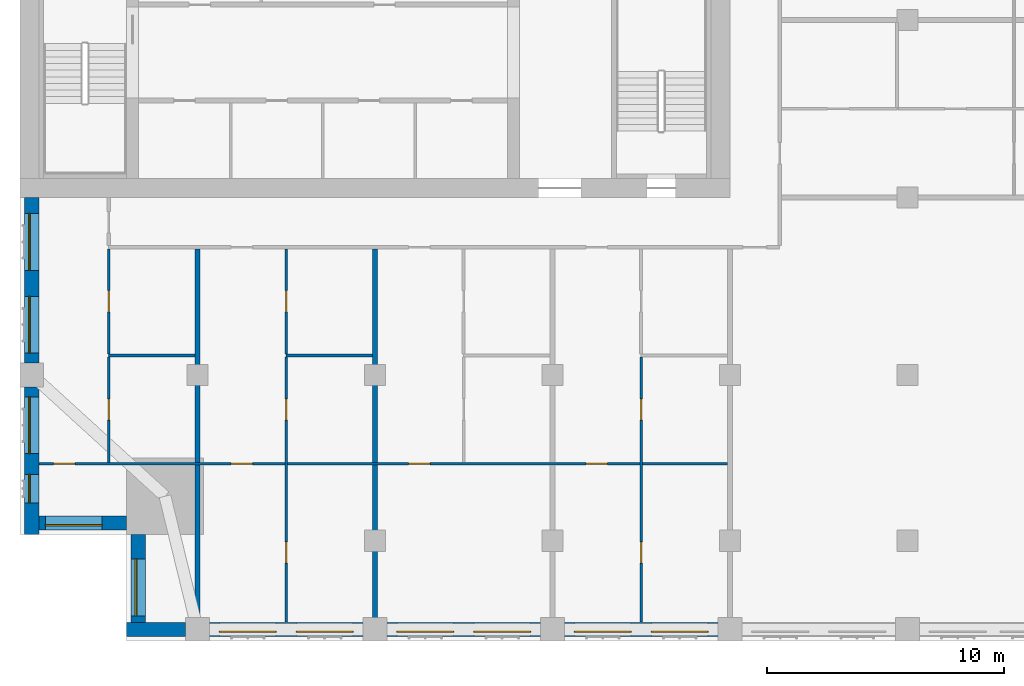
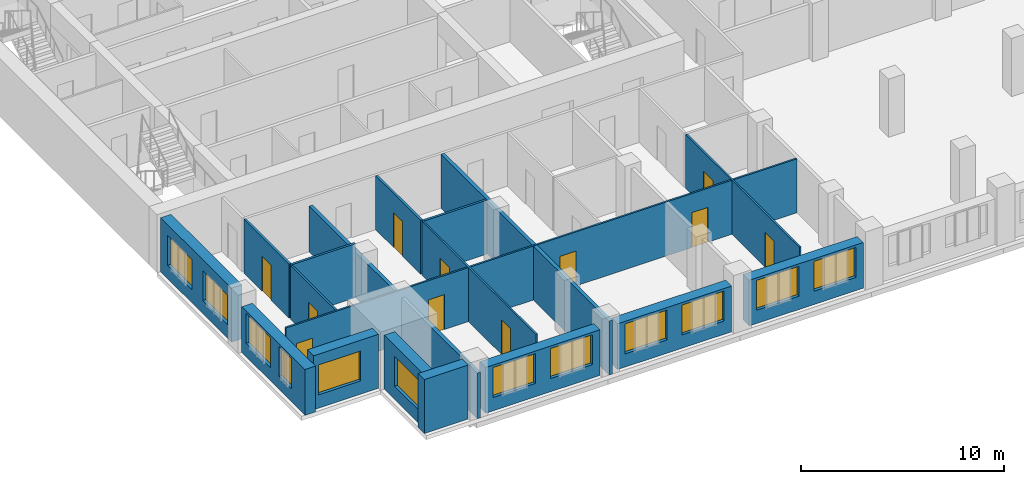
# One storey, part 6 of 14: 18 walls, 12 windows, 11 doors, 23 openings.
"""IFC4 building model written with IfcOpenShell, lengths in metres."""

from ifc_helpers import new_model, si_unit, direction, frame, frame_2d, origin, place, context, subcontext, project, spatial, rectangle, extrude, material, layer, layer_set, type_object, element, fill, save


model = new_model("IFC4")

# Units and contexts
model_context = context("Model", 3, precision=1e-05, world=origin(), true_north=direction((0.0, 1.0)))
body_context = subcontext(model_context, "Body", "Model", "MODEL_VIEW")
ifc_project = project(units=[si_unit("LENGTHUNIT", "METRE"), si_unit("AREAUNIT", "SQUARE_METRE"), si_unit("VOLUMEUNIT", "CUBIC_METRE"), si_unit("PLANEANGLEUNIT", "RADIAN"), si_unit("MASSUNIT", "GRAM", prefix="KILO")], contexts=[model_context])

# Site, building, storey
site_placement = place(None, origin())
site = spatial("IfcSite", under=ifc_project, at=site_placement, CompositionType="ELEMENT")
building_placement = place(site_placement, origin())
building = spatial("IfcBuilding", under=site, at=building_placement, Name="Tamorin Gate", CompositionType="ELEMENT")
storey_placement = place(building_placement, frame((0.0, 0.0, 186.199951171875)))
storey = spatial("IfcBuildingStorey", under=building, at=storey_placement, Name="L45", CompositionType="ELEMENT", Elevation=186.199951171875)

# Wall
ifc_material_1 = material(Name="Precast concrete C40/50", Category="concrete")
ifc_layer_1 = layer(ifc_material_1, 0.60009765625)
ifc_layer_set_1 = layer_set([ifc_layer_1], Name="Precast concrete C40/50")
wall_type_1 = type_object("IfcWallType", Name="Board-marked concrete facade panel 600", PredefinedType="SOLIDWALL", material=ifc_layer_set_1)
wall_1_placement = place(storey_placement, frame((34.5, 41.75, 0.0), z_axis=(0.0, 0.0, 1.0), x_axis=(1.0, 0.0, 0.0)))
element("IfcWall", 1, at=wall_1_placement, inside=storey, type_object=wall_type_1, Name="Facade panel", PredefinedType="SOLIDWALL", context=body_context, shape_type="SweptSolid", body=[
    extrude(rectangle(XDim=2.5, YDim=0.60009765625, at=frame_2d((1.25, 0.0))), origin(), (0.0, 0.0, 1.0), 3.25),
])

# Wall, openings, windows
wall_2_placement = place(storey_placement, frame((38.0, 41.75, 0.0), z_axis=(0.0, 0.0, 1.0), x_axis=(1.0, 0.0, 0.0)))
wall_2 = element("IfcWall", 2, at=wall_2_placement, inside=storey, type_object=wall_type_1, Name="Facade panel", PredefinedType="SOLIDWALL", context=body_context, shape_type="SweptSolid", body=[
    extrude(rectangle(XDim=6.5, YDim=0.60009765625, at=frame_2d((3.25, 0.0))), origin(), (0.0, 0.0, 1.0), 2.75),
])
opening_1_placement = place(wall_2_placement, frame((0.425048828125, 0.0, 0.800048828125)))
opening_1 = element("IfcOpeningElement", 3, at=opening_1_placement, cuts=wall_2, Name="Opening WN1", PredefinedType="OPENING", context=body_context, shape_type="SweptSolid", body=[
    extrude(rectangle(XDim=2.39990234375, YDim=1.800048828125, at=frame_2d((1.199951171875, 0.89990234375))), frame((0.0, 0.31005859375, 0.0), z_axis=(0.0, -1.0, 0.0), x_axis=(1.0, 0.0, 0.0)), (0.0, 0.0, 1.0), 0.6201171875),
])
opening_2_placement = place(wall_2_placement, frame((3.675048828125, 0.0, 0.800048828125)))
opening_2 = element("IfcOpeningElement", 4, at=opening_2_placement, cuts=wall_2, Name="Opening WN1", PredefinedType="OPENING", context=body_context, shape_type="SweptSolid", body=[
    extrude(rectangle(XDim=2.39990234375, YDim=1.800048828125, at=frame_2d((1.199951171875, 0.89990234375))), frame((0.0, 0.31005859375, 0.0), z_axis=(0.0, -1.0, 0.0), x_axis=(1.0, 0.0, 0.0)), (0.0, 0.0, 1.0), 0.6201171875),
])
ifc_material_2 = material(Name="Clear glass in aluminium frame", Category="aluminium")
window_type_1 = type_object("IfcWindowType", Name="Deep-set window 2400x1800", PartitioningType="SINGLE_PANEL", PredefinedType="WINDOW", material=ifc_material_2)
window_1_placement = place(opening_1_placement, origin())
window_1 = element("IfcWindow", 5, at=window_1_placement, inside=storey, type_object=window_type_1, Name="Deep-set window", OverallHeight=1.800048828125, OverallWidth=2.39990234375, PartitioningType="SINGLE_PANEL", PredefinedType="WINDOW", context=body_context, shape_type="SweptSolid", body=[
    extrude(rectangle(XDim=2.39990234375, YDim=1.800048828125, at=frame_2d((1.199951171875, 0.89990234375))), frame((0.0, -0.070068359375, 0.0), z_axis=(0.0, -1.0, 0.0), x_axis=(1.0, 0.0, 0.0)), (0.0, 0.0, 1.0), 0.06005859375),
])
fill(opening_1, window_1)
window_2_placement = place(opening_2_placement, origin())
window_2 = element("IfcWindow", 6, at=window_2_placement, inside=storey, type_object=window_type_1, Name="Deep-set window", OverallHeight=1.800048828125, OverallWidth=2.39990234375, PartitioningType="SINGLE_PANEL", PredefinedType="WINDOW", context=body_context, shape_type="SweptSolid", body=[
    extrude(rectangle(XDim=2.39990234375, YDim=1.800048828125, at=frame_2d((1.199951171875, 0.89990234375))), frame((0.0, -0.070068359375, 0.0), z_axis=(0.0, -1.0, 0.0), x_axis=(1.0, 0.0, 0.0)), (0.0, 0.0, 1.0), 0.06005859375),
])
fill(opening_2, window_2)

wall_3_placement = place(storey_placement, frame((45.5, 41.75, 0.0), z_axis=(0.0, 0.0, 1.0), x_axis=(1.0, 0.0, 0.0)))
wall_3 = element("IfcWall", 7, at=wall_3_placement, inside=storey, type_object=wall_type_1, Name="Facade panel", PredefinedType="SOLIDWALL", context=body_context, shape_type="SweptSolid", body=[
    extrude(rectangle(XDim=6.5, YDim=0.60009765625, at=frame_2d((3.25, 0.0))), origin(), (0.0, 0.0, 1.0), 2.75),
])
opening_3_placement = place(wall_3_placement, frame((0.425048828125, 0.0, 0.800048828125)))
opening_3 = element("IfcOpeningElement", 8, at=opening_3_placement, cuts=wall_3, Name="Opening WN1", PredefinedType="OPENING", context=body_context, shape_type="SweptSolid", body=[
    extrude(rectangle(XDim=2.39990234375, YDim=1.800048828125, at=frame_2d((1.199951171875, 0.89990234375))), frame((0.0, 0.31005859375, 0.0), z_axis=(0.0, -1.0, 0.0), x_axis=(1.0, 0.0, 0.0)), (0.0, 0.0, 1.0), 0.6201171875),
])
opening_4_placement = place(wall_3_placement, frame((3.675048828125, 0.0, 0.800048828125)))
opening_4 = element("IfcOpeningElement", 9, at=opening_4_placement, cuts=wall_3, Name="Opening WN1", PredefinedType="OPENING", context=body_context, shape_type="SweptSolid", body=[
    extrude(rectangle(XDim=2.39990234375, YDim=1.800048828125, at=frame_2d((1.199951171875, 0.89990234375))), frame((0.0, 0.31005859375, 0.0), z_axis=(0.0, -1.0, 0.0), x_axis=(1.0, 0.0, 0.0)), (0.0, 0.0, 1.0), 0.6201171875),
])
window_3_placement = place(opening_3_placement, origin())
window_3 = element("IfcWindow", 10, at=window_3_placement, inside=storey, type_object=window_type_1, Name="Deep-set window", OverallHeight=1.800048828125, OverallWidth=2.39990234375, PartitioningType="SINGLE_PANEL", PredefinedType="WINDOW", context=body_context, shape_type="SweptSolid", body=[
    extrude(rectangle(XDim=2.39990234375, YDim=1.800048828125, at=frame_2d((1.199951171875, 0.89990234375))), frame((0.0, -0.070068359375, 0.0), z_axis=(0.0, -1.0, 0.0), x_axis=(1.0, 0.0, 0.0)), (0.0, 0.0, 1.0), 0.06005859375),
])
fill(opening_3, window_3)
window_4_placement = place(opening_4_placement, origin())
window_4 = element("IfcWindow", 11, at=window_4_placement, inside=storey, type_object=window_type_1, Name="Deep-set window", OverallHeight=1.800048828125, OverallWidth=2.39990234375, PartitioningType="SINGLE_PANEL", PredefinedType="WINDOW", context=body_context, shape_type="SweptSolid", body=[
    extrude(rectangle(XDim=2.39990234375, YDim=1.800048828125, at=frame_2d((1.199951171875, 0.89990234375))), frame((0.0, -0.070068359375, 0.0), z_axis=(0.0, -1.0, 0.0), x_axis=(1.0, 0.0, 0.0)), (0.0, 0.0, 1.0), 0.06005859375),
])
fill(opening_4, window_4)

wall_4_placement = place(storey_placement, frame((53.0, 41.75, 0.0), z_axis=(0.0, 0.0, 1.0), x_axis=(1.0, 0.0, 0.0)))
wall_4 = element("IfcWall", 12, at=wall_4_placement, inside=storey, type_object=wall_type_1, Name="Facade panel", PredefinedType="SOLIDWALL", context=body_context, shape_type="SweptSolid", body=[
    extrude(rectangle(XDim=6.5, YDim=0.60009765625, at=frame_2d((3.25, 0.0))), origin(), (0.0, 0.0, 1.0), 2.75),
])
opening_5_placement = place(wall_4_placement, frame((0.425048828125, 0.0, 0.800048828125)))
opening_5 = element("IfcOpeningElement", 13, at=opening_5_placement, cuts=wall_4, Name="Opening WN1", PredefinedType="OPENING", context=body_context, shape_type="SweptSolid", body=[
    extrude(rectangle(XDim=2.39990234375, YDim=1.800048828125, at=frame_2d((1.199951171875, 0.89990234375))), frame((0.0, 0.31005859375, 0.0), z_axis=(0.0, -1.0, 0.0), x_axis=(1.0, 0.0, 0.0)), (0.0, 0.0, 1.0), 0.6201171875),
])
opening_6_placement = place(wall_4_placement, frame((3.675048828125, 0.0, 0.800048828125)))
opening_6 = element("IfcOpeningElement", 14, at=opening_6_placement, cuts=wall_4, Name="Opening WN1", PredefinedType="OPENING", context=body_context, shape_type="SweptSolid", body=[
    extrude(rectangle(XDim=2.39990234375, YDim=1.800048828125, at=frame_2d((1.199951171875, 0.89990234375))), frame((0.0, 0.31005859375, 0.0), z_axis=(0.0, -1.0, 0.0), x_axis=(1.0, 0.0, 0.0)), (0.0, 0.0, 1.0), 0.6201171875),
])
window_5_placement = place(opening_5_placement, origin())
window_5 = element("IfcWindow", 15, at=window_5_placement, inside=storey, type_object=window_type_1, Name="Deep-set window", OverallHeight=1.800048828125, OverallWidth=2.39990234375, PartitioningType="SINGLE_PANEL", PredefinedType="WINDOW", context=body_context, shape_type="SweptSolid", body=[
    extrude(rectangle(XDim=2.39990234375, YDim=1.800048828125, at=frame_2d((1.199951171875, 0.89990234375))), frame((0.0, -0.070068359375, 0.0), z_axis=(0.0, -1.0, 0.0), x_axis=(1.0, 0.0, 0.0)), (0.0, 0.0, 1.0), 0.06005859375),
])
fill(opening_5, window_5)
window_6_placement = place(opening_6_placement, origin())
window_6 = element("IfcWindow", 16, at=window_6_placement, inside=storey, type_object=window_type_1, Name="Deep-set window", OverallHeight=1.800048828125, OverallWidth=2.39990234375, PartitioningType="SINGLE_PANEL", PredefinedType="WINDOW", context=body_context, shape_type="SweptSolid", body=[
    extrude(rectangle(XDim=2.39990234375, YDim=1.800048828125, at=frame_2d((1.199951171875, 0.89990234375))), frame((0.0, -0.070068359375, 0.0), z_axis=(0.0, -1.0, 0.0), x_axis=(1.0, 0.0, 0.0)), (0.0, 0.0, 1.0), 0.06005859375),
])
fill(opening_6, window_6)

wall_5_placement = place(storey_placement, frame((30.5, 60.0, 0.0), z_axis=(0.0, 0.0, 1.0), x_axis=(0.0, -1.0, 0.0)))
wall_5 = element("IfcWall", 17, at=wall_5_placement, inside=storey, type_object=wall_type_1, Name="Facade panel", PredefinedType="SOLIDWALL", context=body_context, shape_type="SweptSolid", body=[
    extrude(rectangle(XDim=7.0, YDim=0.60009765625, at=frame_2d((3.5, 0.0))), origin(), (0.0, 0.0, 1.0), 3.25),
])
opening_7_placement = place(wall_5_placement, frame((4.175048828125, 0.0, 0.800048828125)))
opening_7 = element("IfcOpeningElement", 18, at=opening_7_placement, cuts=wall_5, Name="Opening WN1", PredefinedType="OPENING", context=body_context, shape_type="SweptSolid", body=[
    extrude(rectangle(XDim=2.39990234375, YDim=1.800048828125, at=frame_2d((1.199951171875, 0.89990234375))), frame((0.0, 0.31005859375, 0.0), z_axis=(0.0, -1.0, 0.0), x_axis=(1.0, 0.0, 0.0)), (0.0, 0.0, 1.0), 0.6201171875),
])
opening_8_placement = place(wall_5_placement, frame((0.675048828125, 0.0, 0.800048828125)))
opening_8 = element("IfcOpeningElement", 19, at=opening_8_placement, cuts=wall_5, Name="Opening WN1", PredefinedType="OPENING", context=body_context, shape_type="SweptSolid", body=[
    extrude(rectangle(XDim=2.39990234375, YDim=1.800048828125, at=frame_2d((1.199951171875, 0.89990234375))), frame((0.0, 0.31005859375, 0.0), z_axis=(0.0, -1.0, 0.0), x_axis=(1.0, 0.0, 0.0)), (0.0, 0.0, 1.0), 0.6201171875),
])
window_7_placement = place(opening_7_placement, origin())
window_7 = element("IfcWindow", 20, at=window_7_placement, inside=storey, type_object=window_type_1, Name="Deep-set window", OverallHeight=1.800048828125, OverallWidth=2.39990234375, PartitioningType="SINGLE_PANEL", PredefinedType="WINDOW", context=body_context, shape_type="SweptSolid", body=[
    extrude(rectangle(XDim=2.39990234375, YDim=1.800048828125, at=frame_2d((1.199951171875, 0.89990234375))), frame((0.0, -0.070068359375, 0.0), z_axis=(0.0, -1.0, 0.0), x_axis=(1.0, 0.0, 0.0)), (0.0, 0.0, 1.0), 0.06005859375),
])
fill(opening_7, window_7)
window_8_placement = place(opening_8_placement, origin())
window_8 = element("IfcWindow", 21, at=window_8_placement, inside=storey, type_object=window_type_1, Name="Deep-set window", OverallHeight=1.800048828125, OverallWidth=2.39990234375, PartitioningType="SINGLE_PANEL", PredefinedType="WINDOW", context=body_context, shape_type="SweptSolid", body=[
    extrude(rectangle(XDim=2.39990234375, YDim=1.800048828125, at=frame_2d((1.199951171875, 0.89990234375))), frame((0.0, -0.070068359375, 0.0), z_axis=(0.0, -1.0, 0.0), x_axis=(1.0, 0.0, 0.0)), (0.0, 0.0, 1.0), 0.06005859375),
])
fill(opening_8, window_8)

wall_6_placement = place(storey_placement, frame((30.5, 52.0, 0.0), z_axis=(0.0, 0.0, 1.0), x_axis=(0.0, -1.0, 0.0)))
wall_6 = element("IfcWall", 22, at=wall_6_placement, inside=storey, type_object=wall_type_1, Name="Facade panel", PredefinedType="SOLIDWALL", context=body_context, shape_type="SweptSolid", body=[
    extrude(rectangle(XDim=6.25, YDim=0.60009765625, at=frame_2d((3.125, 0.0))), origin(), (0.0, 0.0, 1.0), 2.75),
])
opening_9_placement = place(wall_6_placement, frame((3.699951171875, 0.0, 0.800048828125)))
opening_9 = element("IfcOpeningElement", 23, at=opening_9_placement, cuts=wall_6, Name="Opening WN3", PredefinedType="OPENING", context=body_context, shape_type="SweptSolid", body=[
    extrude(rectangle(XDim=1.199951171875, YDim=1.800048828125, at=frame_2d((0.60009765625, 0.89990234375))), frame((0.0, 0.31005859375, 0.0), z_axis=(0.0, -1.0, 0.0), x_axis=(1.0, 0.0, 0.0)), (0.0, 0.0, 1.0), 0.6201171875),
])
opening_10_placement = place(wall_6_placement, frame((0.425048828125, 0.0, 0.800048828125)))
opening_10 = element("IfcOpeningElement", 24, at=opening_10_placement, cuts=wall_6, Name="Opening WN1", PredefinedType="OPENING", context=body_context, shape_type="SweptSolid", body=[
    extrude(rectangle(XDim=2.39990234375, YDim=1.800048828125, at=frame_2d((1.199951171875, 0.89990234375))), frame((0.0, 0.31005859375, 0.0), z_axis=(0.0, -1.0, 0.0), x_axis=(1.0, 0.0, 0.0)), (0.0, 0.0, 1.0), 0.6201171875),
])
window_type_2 = type_object("IfcWindowType", Name="Deep-set window 1200x1800", PartitioningType="SINGLE_PANEL", PredefinedType="WINDOW", material=ifc_material_2)
window_9_placement = place(opening_9_placement, origin())
window_9 = element("IfcWindow", 25, at=window_9_placement, inside=storey, type_object=window_type_2, Name="Deep-set window", OverallHeight=1.800048828125, OverallWidth=1.199951171875, PartitioningType="SINGLE_PANEL", PredefinedType="WINDOW", context=body_context, shape_type="SweptSolid", body=[
    extrude(rectangle(XDim=1.199951171875, YDim=1.800048828125, at=frame_2d((0.60009765625, 0.89990234375))), frame((0.0, -0.070068359375, 0.0), z_axis=(0.0, -1.0, 0.0), x_axis=(1.0, 0.0, 0.0)), (0.0, 0.0, 1.0), 0.06005859375),
])
fill(opening_9, window_9)
window_10_placement = place(opening_10_placement, origin())
window_10 = element("IfcWindow", 26, at=window_10_placement, inside=storey, type_object=window_type_1, Name="Deep-set window", OverallHeight=1.800048828125, OverallWidth=2.39990234375, PartitioningType="SINGLE_PANEL", PredefinedType="WINDOW", context=body_context, shape_type="SweptSolid", body=[
    extrude(rectangle(XDim=2.39990234375, YDim=1.800048828125, at=frame_2d((1.199951171875, 0.89990234375))), frame((0.0, -0.070068359375, 0.0), z_axis=(0.0, -1.0, 0.0), x_axis=(1.0, 0.0, 0.0)), (0.0, 0.0, 1.0), 0.06005859375),
])
fill(opening_10, window_10)

# Wall, opening, window
wall_7_placement = place(storey_placement, frame((30.800048828125, 46.25, 0.0), z_axis=(0.0, 0.0, 1.0), x_axis=(1.0, 0.0, 0.0)))
wall_7 = element("IfcWall", 27, at=wall_7_placement, inside=storey, type_object=wall_type_1, Name="Facade panel", PredefinedType="SOLIDWALL", context=body_context, shape_type="SweptSolid", body=[
    extrude(rectangle(XDim=3.699951171875, YDim=0.60009765625, at=frame_2d((1.85009765625, 0.0))), origin(), (0.0, 0.0, 1.0), 3.25),
])
opening_11_placement = place(wall_7_placement, frame((0.27490234375, 0.0, 0.800048828125)))
opening_11 = element("IfcOpeningElement", 28, at=opening_11_placement, cuts=wall_7, Name="Opening WN1", PredefinedType="OPENING", context=body_context, shape_type="SweptSolid", body=[
    extrude(rectangle(XDim=2.39990234375, YDim=1.800048828125, at=frame_2d((1.199951171875, 0.89990234375))), frame((0.0, 0.31005859375, 0.0), z_axis=(0.0, -1.0, 0.0), x_axis=(1.0, 0.0, 0.0)), (0.0, 0.0, 1.0), 0.6201171875),
])
window_11_placement = place(opening_11_placement, origin())
window_11 = element("IfcWindow", 29, at=window_11_placement, inside=storey, type_object=window_type_1, Name="Deep-set window", OverallHeight=1.800048828125, OverallWidth=2.39990234375, PartitioningType="SINGLE_PANEL", PredefinedType="WINDOW", context=body_context, shape_type="SweptSolid", body=[
    extrude(rectangle(XDim=2.39990234375, YDim=1.800048828125, at=frame_2d((1.199951171875, 0.89990234375))), frame((0.0, -0.070068359375, 0.0), z_axis=(0.0, -1.0, 0.0), x_axis=(1.0, 0.0, 0.0)), (0.0, 0.0, 1.0), 0.06005859375),
])
fill(opening_11, window_11)

wall_8_placement = place(storey_placement, frame((35.0, 45.75, 0.0), z_axis=(0.0, 0.0, 1.0), x_axis=(0.0, -1.0, 0.0)))
wall_8 = element("IfcWall", 30, at=wall_8_placement, inside=storey, type_object=wall_type_1, Name="Facade panel", PredefinedType="SOLIDWALL", context=body_context, shape_type="SweptSolid", body=[
    extrude(rectangle(XDim=3.699951171875, YDim=0.60009765625, at=frame_2d((1.85009765625, 0.0))), origin(), (0.0, 0.0, 1.0), 3.25),
])
opening_12_placement = place(wall_8_placement, frame((1.02490234375, 0.0, 0.800048828125)))
opening_12 = element("IfcOpeningElement", 31, at=opening_12_placement, cuts=wall_8, Name="Opening WN1", PredefinedType="OPENING", context=body_context, shape_type="SweptSolid", body=[
    extrude(rectangle(XDim=2.39990234375, YDim=1.800048828125, at=frame_2d((1.199951171875, 0.89990234375))), frame((0.0, 0.31005859375, 0.0), z_axis=(0.0, -1.0, 0.0), x_axis=(1.0, 0.0, 0.0)), (0.0, 0.0, 1.0), 0.6201171875),
])
window_12_placement = place(opening_12_placement, origin())
window_12 = element("IfcWindow", 32, at=window_12_placement, inside=storey, type_object=window_type_1, Name="Deep-set window", OverallHeight=1.800048828125, OverallWidth=2.39990234375, PartitioningType="SINGLE_PANEL", PredefinedType="WINDOW", context=body_context, shape_type="SweptSolid", body=[
    extrude(rectangle(XDim=2.39990234375, YDim=1.800048828125, at=frame_2d((1.199951171875, 0.89990234375))), frame((0.0, -0.070068359375, 0.0), z_axis=(0.0, -1.0, 0.0), x_axis=(1.0, 0.0, 0.0)), (0.0, 0.0, 1.0), 0.06005859375),
])
fill(opening_12, window_12)

# Walls
ifc_material_3 = material(Name="Gypsum board partition")
ifc_layer_2 = layer(ifc_material_3, 0.199951171875)
ifc_layer_set_2 = layer_set([ifc_layer_2], Name="Demising wall 200")
wall_type_2 = type_object("IfcWallType", Name="Demising wall 200", PredefinedType="PARTITIONING", material=ifc_layer_set_2)
wall_9_placement = place(storey_placement, frame((37.5, 41.25, 0.0), z_axis=(0.0, 0.0, 1.0), x_axis=(0.0, 1.0, 0.0)))
element("IfcWall", 33, at=wall_9_placement, inside=storey, type_object=wall_type_2, Name="Demising wall 200", PredefinedType="PARTITIONING", context=body_context, shape_type="SweptSolid", body=[
    extrude(rectangle(XDim=16.574951171875, YDim=0.199951171875, at=frame_2d((8.28759765625, 0.0))), origin(), (0.0, 0.0, 1.0), 2.75),
])
wall_10_placement = place(storey_placement, frame((45.0, 41.25, 0.0), z_axis=(0.0, 0.0, 1.0), x_axis=(0.0, 1.0, 0.0)))
element("IfcWall", 34, at=wall_10_placement, inside=storey, type_object=wall_type_2, Name="Demising wall 200", PredefinedType="PARTITIONING", context=body_context, shape_type="SweptSolid", body=[
    extrude(rectangle(XDim=16.574951171875, YDim=0.199951171875, at=frame_2d((8.28759765625, 0.0))), origin(), (0.0, 0.0, 1.0), 3.25),
])

# Wall, openings, doors
ifc_layer_3 = layer(ifc_material_3, 0.10009765625)
ifc_layer_set_3 = layer_set([ifc_layer_3], Name="Room partition 100")
wall_type_3 = type_object("IfcWallType", Name="Room partition 100", PredefinedType="PARTITIONING", material=ifc_layer_set_3)
wall_11_placement = place(storey_placement, frame((30.81005859375, 48.75, 0.0), z_axis=(0.0, 0.0, 1.0), x_axis=(1.0, 0.0, 0.0)))
wall_11 = element("IfcWall", 35, at=wall_11_placement, inside=storey, type_object=wall_type_3, Name="Room partition 100", PredefinedType="PARTITIONING", context=body_context, shape_type="SweptSolid", body=[
    extrude(rectangle(XDim=29.08984375, YDim=0.10009765625, at=frame_2d((14.544921875, 0.0))), origin(), (0.0, 0.0, 1.0), 3.25),
])
opening_13_placement = place(wall_11_placement, frame((0.614990234375, 0.0, 0.0)))
opening_13 = element("IfcOpeningElement", 36, at=opening_13_placement, cuts=wall_11, Name="Opening DR3002", PredefinedType="OPENING", context=body_context, shape_type="SweptSolid", body=[
    extrude(rectangle(XDim=0.89990234375, YDim=2.10009765625, at=frame_2d((0.449951171875, 1.050048828125))), frame((0.0, 0.06005859375, 0.0), z_axis=(0.0, -1.0, 0.0), x_axis=(1.0, 0.0, 0.0)), (0.0, 0.0, 1.0), 0.1201171875),
])
opening_14_placement = place(wall_11_placement, frame((8.114990234375, 0.0, 0.0)))
opening_14 = element("IfcOpeningElement", 37, at=opening_14_placement, cuts=wall_11, Name="Opening DR3006", PredefinedType="OPENING", context=body_context, shape_type="SweptSolid", body=[
    extrude(rectangle(XDim=0.89990234375, YDim=2.10009765625, at=frame_2d((0.449951171875, 1.050048828125))), frame((0.0, 0.06005859375, 0.0), z_axis=(0.0, -1.0, 0.0), x_axis=(1.0, 0.0, 0.0)), (0.0, 0.0, 1.0), 0.1201171875),
])
opening_15_placement = place(wall_11_placement, frame((15.614990234375, 0.0, 0.0)))
opening_15 = element("IfcOpeningElement", 38, at=opening_15_placement, cuts=wall_11, Name="Opening DR3011", PredefinedType="OPENING", context=body_context, shape_type="SweptSolid", body=[
    extrude(rectangle(XDim=0.89990234375, YDim=2.10009765625, at=frame_2d((0.449951171875, 1.050048828125))), frame((0.0, 0.06005859375, 0.0), z_axis=(0.0, -1.0, 0.0), x_axis=(1.0, 0.0, 0.0)), (0.0, 0.0, 1.0), 0.1201171875),
])
opening_16_placement = place(wall_11_placement, frame((23.114990234375, 0.0, 0.0)))
opening_16 = element("IfcOpeningElement", 39, at=opening_16_placement, cuts=wall_11, Name="Opening DR3015", PredefinedType="OPENING", context=body_context, shape_type="SweptSolid", body=[
    extrude(rectangle(XDim=0.89990234375, YDim=2.10009765625, at=frame_2d((0.449951171875, 1.050048828125))), frame((0.0, 0.06005859375, 0.0), z_axis=(0.0, -1.0, 0.0), x_axis=(1.0, 0.0, 0.0)), (0.0, 0.0, 1.0), 0.1201171875),
])
ifc_material_4 = material(Name="Timber door leaf", Category="wood")
door_type = type_object("IfcDoorType", Name="Door 900 x 2100", OperationType="NOTDEFINED", PredefinedType="DOOR", material=ifc_material_4)
door_1_placement = place(opening_13_placement, origin())
door_1 = element("IfcDoor", 40, at=door_1_placement, inside=storey, type_object=door_type, Name="Door DR3002", OperationType="SINGLE_SWING_LEFT", OverallHeight=2.10009765625, OverallWidth=0.89990234375, PredefinedType="DOOR", context=body_context, shape_type="SweptSolid", body=[
    extrude(rectangle(XDim=0.89990234375, YDim=2.10009765625, at=frame_2d((0.449951171875, 1.050048828125))), frame((0.0, 0.02490234375, 0.0), z_axis=(0.0, -1.0, 0.0), x_axis=(1.0, 0.0, 0.0)), (0.0, 0.0, 1.0), 0.050048828125),
])
fill(opening_13, door_1)
door_2_placement = place(opening_14_placement, origin())
door_2 = element("IfcDoor", 41, at=door_2_placement, inside=storey, type_object=door_type, Name="Door DR3006", OperationType="SINGLE_SWING_LEFT", OverallHeight=2.10009765625, OverallWidth=0.89990234375, PredefinedType="DOOR", context=body_context, shape_type="SweptSolid", body=[
    extrude(rectangle(XDim=0.89990234375, YDim=2.10009765625, at=frame_2d((0.449951171875, 1.050048828125))), frame((0.0, 0.02490234375, 0.0), z_axis=(0.0, -1.0, 0.0), x_axis=(1.0, 0.0, 0.0)), (0.0, 0.0, 1.0), 0.050048828125),
])
fill(opening_14, door_2)
door_3_placement = place(opening_15_placement, origin())
door_3 = element("IfcDoor", 42, at=door_3_placement, inside=storey, type_object=door_type, Name="Door DR3011", OperationType="SINGLE_SWING_LEFT", OverallHeight=2.10009765625, OverallWidth=0.89990234375, PredefinedType="DOOR", context=body_context, shape_type="SweptSolid", body=[
    extrude(rectangle(XDim=0.89990234375, YDim=2.10009765625, at=frame_2d((0.449951171875, 1.050048828125))), frame((0.0, 0.02490234375, 0.0), z_axis=(0.0, -1.0, 0.0), x_axis=(1.0, 0.0, 0.0)), (0.0, 0.0, 1.0), 0.050048828125),
])
fill(opening_15, door_3)
door_4_placement = place(opening_16_placement, origin())
door_4 = element("IfcDoor", 43, at=door_4_placement, inside=storey, type_object=door_type, Name="Door DR3015", OperationType="SINGLE_SWING_LEFT", OverallHeight=2.10009765625, OverallWidth=0.89990234375, PredefinedType="DOOR", context=body_context, shape_type="SweptSolid", body=[
    extrude(rectangle(XDim=0.89990234375, YDim=2.10009765625, at=frame_2d((0.449951171875, 1.050048828125))), frame((0.0, 0.02490234375, 0.0), z_axis=(0.0, -1.0, 0.0), x_axis=(1.0, 0.0, 0.0)), (0.0, 0.0, 1.0), 0.050048828125),
])
fill(opening_16, door_4)

# Wall, opening, door
wall_12_placement = place(storey_placement, frame((33.75, 48.800048828125, 0.0), z_axis=(0.0, 0.0, 1.0), x_axis=(0.0, 1.0, 0.0)))
wall_12 = element("IfcWall", 44, at=wall_12_placement, inside=storey, type_object=wall_type_3, Name="Room partition 100", PredefinedType="PARTITIONING", context=body_context, shape_type="SweptSolid", body=[
    extrude(rectangle(XDim=4.46240234375, YDim=0.10009765625, at=frame_2d((2.231201171875, 0.0))), origin(), (0.0, 0.0, 1.0), 3.25),
])
opening_17_placement = place(wall_12_placement, frame((1.78759765625, 0.0, 0.0)))
opening_17 = element("IfcOpeningElement", 45, at=opening_17_placement, cuts=wall_12, Name="Opening DR3003", PredefinedType="OPENING", context=body_context, shape_type="SweptSolid", body=[
    extrude(rectangle(XDim=0.89990234375, YDim=2.10009765625, at=frame_2d((0.449951171875, 1.050048828125))), frame((0.0, 0.06005859375, 0.0), z_axis=(0.0, -1.0, 0.0), x_axis=(1.0, 0.0, 0.0)), (0.0, 0.0, 1.0), 0.1201171875),
])
door_5_placement = place(opening_17_placement, origin())
door_5 = element("IfcDoor", 46, at=door_5_placement, inside=storey, type_object=door_type, Name="Door DR3003", OperationType="SINGLE_SWING_RIGHT", OverallHeight=2.10009765625, OverallWidth=0.89990234375, PredefinedType="DOOR", context=body_context, shape_type="SweptSolid", body=[
    extrude(rectangle(XDim=0.89990234375, YDim=2.10009765625, at=frame_2d((0.449951171875, 1.050048828125))), frame((0.0, 0.02490234375, 0.0), z_axis=(0.0, -1.0, 0.0), x_axis=(1.0, 0.0, 0.0)), (0.0, 0.0, 1.0), 0.050048828125),
])
fill(opening_17, door_5)

# Wall, openings, doors
wall_13_placement = place(storey_placement, frame((41.25, 42.06005859375, 0.0), z_axis=(0.0, 0.0, 1.0), x_axis=(0.0, 1.0, 0.0)))
wall_13 = element("IfcWall", 47, at=wall_13_placement, inside=storey, type_object=wall_type_3, Name="Room partition 100", PredefinedType="PARTITIONING", context=body_context, shape_type="SweptSolid", body=[
    extrude(rectangle(XDim=11.202392578125, YDim=0.10009765625, at=frame_2d((5.60107421875, 0.0))), origin(), (0.0, 0.0, 1.0), 3.25),
])
opening_18_placement = place(wall_13_placement, frame((8.527587890625, 0.0, 0.0)))
opening_18 = element("IfcOpeningElement", 48, at=opening_18_placement, cuts=wall_13, Name="Opening DR3007", PredefinedType="OPENING", context=body_context, shape_type="SweptSolid", body=[
    extrude(rectangle(XDim=0.89990234375, YDim=2.10009765625, at=frame_2d((0.449951171875, 1.050048828125))), frame((0.0, 0.06005859375, 0.0), z_axis=(0.0, -1.0, 0.0), x_axis=(1.0, 0.0, 0.0)), (0.0, 0.0, 1.0), 0.1201171875),
])
opening_19_placement = place(wall_13_placement, frame((2.489990234375, 0.0, 0.0)))
opening_19 = element("IfcOpeningElement", 49, at=opening_19_placement, cuts=wall_13, Name="Opening DR3009", PredefinedType="OPENING", context=body_context, shape_type="SweptSolid", body=[
    extrude(rectangle(XDim=0.89990234375, YDim=2.10009765625, at=frame_2d((0.449951171875, 1.050048828125))), frame((0.0, 0.06005859375, 0.0), z_axis=(0.0, -1.0, 0.0), x_axis=(1.0, 0.0, 0.0)), (0.0, 0.0, 1.0), 0.1201171875),
])
door_6_placement = place(opening_18_placement, origin())
door_6 = element("IfcDoor", 50, at=door_6_placement, inside=storey, type_object=door_type, Name="Door DR3007", OperationType="SINGLE_SWING_RIGHT", OverallHeight=2.10009765625, OverallWidth=0.89990234375, PredefinedType="DOOR", context=body_context, shape_type="SweptSolid", body=[
    extrude(rectangle(XDim=0.89990234375, YDim=2.10009765625, at=frame_2d((0.449951171875, 1.050048828125))), frame((0.0, 0.02490234375, 0.0), z_axis=(0.0, -1.0, 0.0), x_axis=(1.0, 0.0, 0.0)), (0.0, 0.0, 1.0), 0.050048828125),
])
fill(opening_18, door_6)
door_7_placement = place(opening_19_placement, origin())
door_7 = element("IfcDoor", 51, at=door_7_placement, inside=storey, type_object=door_type, Name="Door DR3009", OperationType="SINGLE_SWING_LEFT", OverallHeight=2.10009765625, OverallWidth=0.89990234375, PredefinedType="DOOR", context=body_context, shape_type="SweptSolid", body=[
    extrude(rectangle(XDim=0.89990234375, YDim=2.10009765625, at=frame_2d((0.449951171875, 1.050048828125))), frame((0.0, 0.02490234375, 0.0), z_axis=(0.0, -1.0, 0.0), x_axis=(1.0, 0.0, 0.0)), (0.0, 0.0, 1.0), 0.050048828125),
])
fill(opening_19, door_7)

wall_14_placement = place(storey_placement, frame((56.25, 42.06005859375, 0.0), z_axis=(0.0, 0.0, 1.0), x_axis=(0.0, 1.0, 0.0)))
wall_14 = element("IfcWall", 52, at=wall_14_placement, inside=storey, type_object=wall_type_3, Name="Room partition 100", PredefinedType="PARTITIONING", context=body_context, shape_type="SweptSolid", body=[
    extrude(rectangle(XDim=11.202392578125, YDim=0.10009765625, at=frame_2d((5.60107421875, 0.0))), origin(), (0.0, 0.0, 1.0), 3.25),
])
opening_20_placement = place(wall_14_placement, frame((8.527587890625, 0.0, 0.0)))
opening_20 = element("IfcOpeningElement", 53, at=opening_20_placement, cuts=wall_14, Name="Opening DR3016", PredefinedType="OPENING", context=body_context, shape_type="SweptSolid", body=[
    extrude(rectangle(XDim=0.89990234375, YDim=2.10009765625, at=frame_2d((0.449951171875, 1.050048828125))), frame((0.0, 0.06005859375, 0.0), z_axis=(0.0, -1.0, 0.0), x_axis=(1.0, 0.0, 0.0)), (0.0, 0.0, 1.0), 0.1201171875),
])
opening_21_placement = place(wall_14_placement, frame((2.489990234375, 0.0, 0.0)))
opening_21 = element("IfcOpeningElement", 54, at=opening_21_placement, cuts=wall_14, Name="Opening DR3018", PredefinedType="OPENING", context=body_context, shape_type="SweptSolid", body=[
    extrude(rectangle(XDim=0.89990234375, YDim=2.10009765625, at=frame_2d((0.449951171875, 1.050048828125))), frame((0.0, 0.06005859375, 0.0), z_axis=(0.0, -1.0, 0.0), x_axis=(1.0, 0.0, 0.0)), (0.0, 0.0, 1.0), 0.1201171875),
])
door_8_placement = place(opening_20_placement, origin())
door_8 = element("IfcDoor", 55, at=door_8_placement, inside=storey, type_object=door_type, Name="Door DR3016", OperationType="SINGLE_SWING_RIGHT", OverallHeight=2.10009765625, OverallWidth=0.89990234375, PredefinedType="DOOR", context=body_context, shape_type="SweptSolid", body=[
    extrude(rectangle(XDim=0.89990234375, YDim=2.10009765625, at=frame_2d((0.449951171875, 1.050048828125))), frame((0.0, 0.02490234375, 0.0), z_axis=(0.0, -1.0, 0.0), x_axis=(1.0, 0.0, 0.0)), (0.0, 0.0, 1.0), 0.050048828125),
])
fill(opening_20, door_8)
door_9_placement = place(opening_21_placement, origin())
door_9 = element("IfcDoor", 56, at=door_9_placement, inside=storey, type_object=door_type, Name="Door DR3018", OperationType="SINGLE_SWING_LEFT", OverallHeight=2.10009765625, OverallWidth=0.89990234375, PredefinedType="DOOR", context=body_context, shape_type="SweptSolid", body=[
    extrude(rectangle(XDim=0.89990234375, YDim=2.10009765625, at=frame_2d((0.449951171875, 1.050048828125))), frame((0.0, 0.02490234375, 0.0), z_axis=(0.0, -1.0, 0.0), x_axis=(1.0, 0.0, 0.0)), (0.0, 0.0, 1.0), 0.050048828125),
])
fill(opening_21, door_9)

# Walls
ifc_layer_4 = layer(ifc_material_3, 0.125)
ifc_layer_set_4 = layer_set([ifc_layer_4], Name="Wet wall 125")
wall_type_4 = type_object("IfcWallType", Name="Wet wall 125", PredefinedType="PARTITIONING", material=ifc_layer_set_4)
for number, where, z_axis, x_axis, name in (
    (57, (33.75, 53.324951171875, 0.0), (0.0, 0.0, 1.0), (1.0, 0.0, 0.0), "Wet wall 125"),
    (58, (41.25, 53.324951171875, 0.0), (0.0, 0.0, 1.0), (1.0, 0.0, 0.0), "Wet wall 125"),
):
    element("IfcWall", number, at=place(storey_placement, frame(where, z_axis=z_axis, x_axis=x_axis)), inside=storey, type_object=wall_type_4, Name=name, PredefinedType="PARTITIONING", context=body_context, shape_type="SweptSolid", body=[
        extrude(rectangle(XDim=3.64990234375, YDim=0.125, at=frame_2d((1.824951171875, 0.0))), origin(), (0.0, 0.0, 1.0), 3.25),
    ])

# Wall, opening, door
wall_15_placement = place(storey_placement, frame((33.75, 53.387451171875, 0.0), z_axis=(0.0, 0.0, 1.0), x_axis=(0.0, 1.0, 0.0)))
wall_15 = element("IfcWall", 59, at=wall_15_placement, inside=storey, type_object=wall_type_4, Name="Wet wall 125", PredefinedType="PARTITIONING", context=body_context, shape_type="SweptSolid", body=[
    extrude(rectangle(XDim=4.4375, YDim=0.125, at=frame_2d((2.21875, 0.0))), origin(), (0.0, 0.0, 1.0), 3.25),
])
opening_22_placement = place(wall_15_placement, frame((1.77490234375, 0.0, 0.0)))
opening_22 = element("IfcOpeningElement", 60, at=opening_22_placement, cuts=wall_15, Name="Opening DR3004", PredefinedType="OPENING", context=body_context, shape_type="SweptSolid", body=[
    extrude(rectangle(XDim=0.89990234375, YDim=2.10009765625, at=frame_2d((0.449951171875, 1.050048828125))), frame((0.0, 0.072509765625, 0.0), z_axis=(0.0, -1.0, 0.0), x_axis=(1.0, 0.0, 0.0)), (0.0, 0.0, 1.0), 0.14501953125),
])
door_10_placement = place(opening_22_placement, origin())
door_10 = element("IfcDoor", 61, at=door_10_placement, inside=storey, type_object=door_type, Name="Door DR3004", OperationType="SINGLE_SWING_RIGHT", OverallHeight=2.10009765625, OverallWidth=0.89990234375, PredefinedType="DOOR", context=body_context, shape_type="SweptSolid", body=[
    extrude(rectangle(XDim=0.89990234375, YDim=2.10009765625, at=frame_2d((0.449951171875, 1.050048828125))), frame((0.0, 0.02490234375, 0.0), z_axis=(0.0, -1.0, 0.0), x_axis=(1.0, 0.0, 0.0)), (0.0, 0.0, 1.0), 0.050048828125),
])
fill(opening_22, door_10)

wall_16_placement = place(storey_placement, frame((41.25, 53.387451171875, 0.0), z_axis=(0.0, 0.0, 1.0), x_axis=(0.0, 1.0, 0.0)))
wall_16 = element("IfcWall", 62, at=wall_16_placement, inside=storey, type_object=wall_type_4, Name="Wet wall 125", PredefinedType="PARTITIONING", context=body_context, shape_type="SweptSolid", body=[
    extrude(rectangle(XDim=4.4375, YDim=0.125, at=frame_2d((2.21875, 0.0))), origin(), (0.0, 0.0, 1.0), 3.25),
])
opening_23_placement = place(wall_16_placement, frame((1.77490234375, 0.0, 0.0)))
opening_23 = element("IfcOpeningElement", 63, at=opening_23_placement, cuts=wall_16, Name="Opening DR3008", PredefinedType="OPENING", context=body_context, shape_type="SweptSolid", body=[
    extrude(rectangle(XDim=0.89990234375, YDim=2.10009765625, at=frame_2d((0.449951171875, 1.050048828125))), frame((0.0, 0.072509765625, 0.0), z_axis=(0.0, -1.0, 0.0), x_axis=(1.0, 0.0, 0.0)), (0.0, 0.0, 1.0), 0.14501953125),
])
door_11_placement = place(opening_23_placement, origin())
door_11 = element("IfcDoor", 64, at=door_11_placement, inside=storey, type_object=door_type, Name="Door DR3008", OperationType="SINGLE_SWING_RIGHT", OverallHeight=2.10009765625, OverallWidth=0.89990234375, PredefinedType="DOOR", context=body_context, shape_type="SweptSolid", body=[
    extrude(rectangle(XDim=0.89990234375, YDim=2.10009765625, at=frame_2d((0.449951171875, 1.050048828125))), frame((0.0, 0.02490234375, 0.0), z_axis=(0.0, -1.0, 0.0), x_axis=(1.0, 0.0, 0.0)), (0.0, 0.0, 1.0), 0.050048828125),
])
fill(opening_23, door_11)

save(model, "model.ifc")
